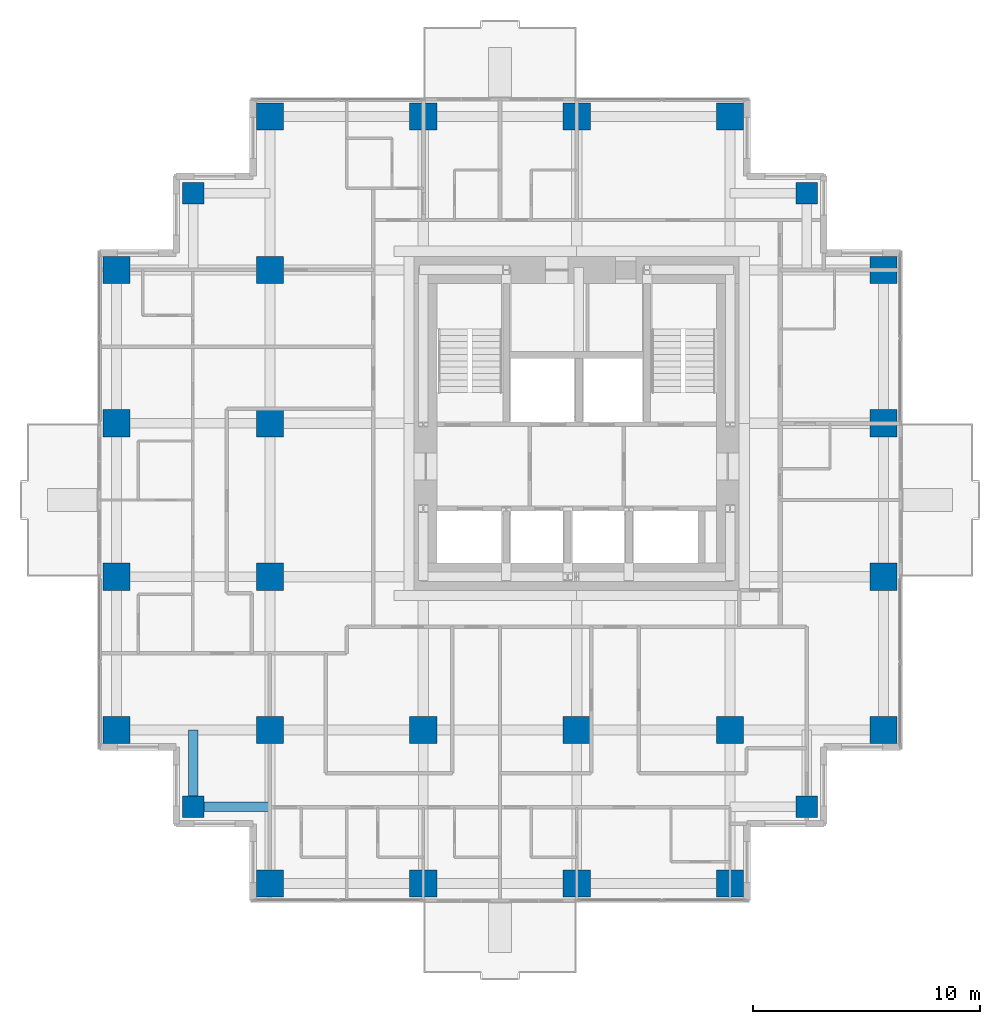
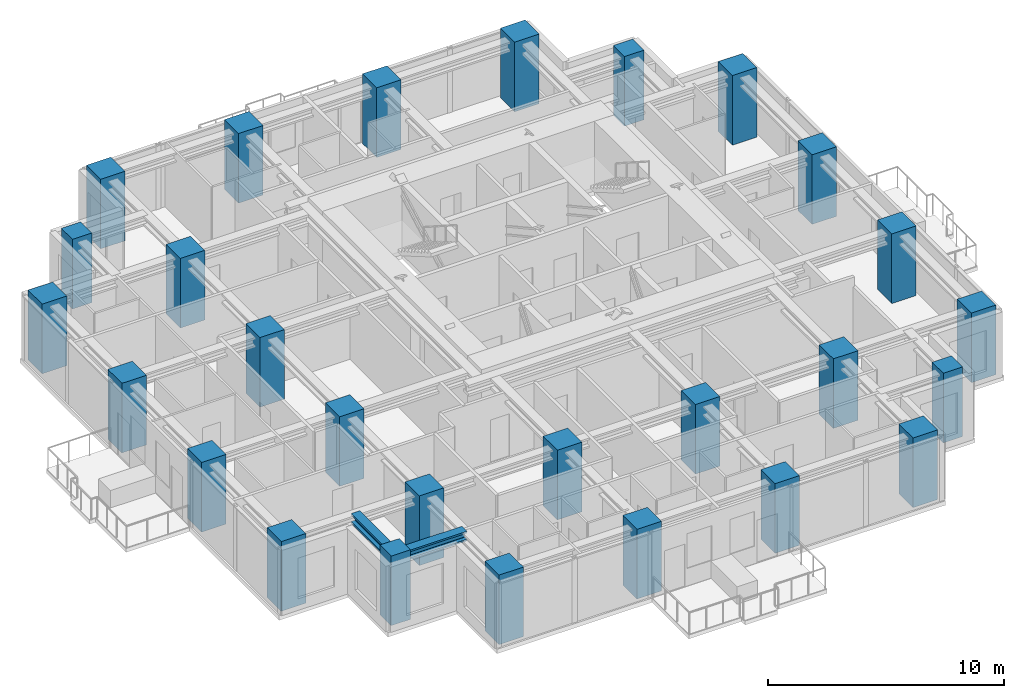
# One storey, part 1 of 10: 27 columns, 2 beams.
"""IFC4 building model written with IfcOpenShell, lengths in metres."""

from ifc_helpers import new_model, si_unit, direction, frame, origin, origin_2d, place, context, subcontext, project, spatial, rectangle, i_section, extrude, material, material_profile, profile_set, type_object, element, save


model = new_model("IFC4")

# Units and contexts
model_context = context("Model", 3, precision=1e-05, world=origin(), true_north=direction((0.0, 1.0)))
body_context = subcontext(model_context, "Body", "Model", "MODEL_VIEW")
ifc_project = project(units=[si_unit("LENGTHUNIT", "METRE"), si_unit("AREAUNIT", "SQUARE_METRE"), si_unit("VOLUMEUNIT", "CUBIC_METRE"), si_unit("PLANEANGLEUNIT", "RADIAN"), si_unit("MASSUNIT", "GRAM", prefix="KILO")], contexts=[model_context])

# Site, building, storey
site_placement = place(None, origin())
site = spatial("IfcSite", under=ifc_project, at=site_placement, CompositionType="ELEMENT")
building_placement = place(site_placement, origin())
building = spatial("IfcBuilding", under=site, at=building_placement, Name="Nyansa Garden Tower", CompositionType="ELEMENT")
storey_placement = place(building_placement, frame((0.0, 0.0, 178.199951171875)))
storey = spatial("IfcBuildingStorey", under=building, at=storey_placement, Name="L48", CompositionType="ELEMENT", Elevation=178.199951171875)

# Columns
ifc_material_1 = material(Name="Concrete C70/85", Category="concrete")
ifc_material_profile_1 = material_profile(ifc_material_1, rectangle(XDim=1.199951171875, YDim=1.199951171875, at=origin_2d()), Name="RC 1200x1200")
ifc_profile_set_1 = profile_set([ifc_material_profile_1], Name="Concrete C70/85")
column_type_1 = type_object("IfcColumnType", Name="Column C120 RC 1200x1200", PredefinedType="COLUMN", material=ifc_profile_set_1)
for number, where, z_axis, x_axis, name in (
    (1, (0.0, 6.75, 0.0), (0.0, 0.0, 1.0), (1.0, 0.0, 0.0), "Column 2/E L48"),
    (2, (0.0, 13.5, 0.0), (0.0, 0.0, 1.0), (1.0, 0.0, 0.0), "Column 2/F L48"),
    (3, (0.0, 20.25, 0.0), (0.0, 0.0, 1.0), (1.0, 0.0, 0.0), "Column 2/G L48"),
    (4, (0.0, 27.0, 0.0), (0.0, 0.0, 1.0), (1.0, 0.0, 0.0), "Column 2/H L48"),
    (5, (6.75, 0.0, 0.0), (0.0, 0.0, 1.0), (1.0, 0.0, 0.0), "Column 3/D L48"),
    (6, (6.75, 6.75, 0.0), (0.0, 0.0, 1.0), (1.0, 0.0, 0.0), "Column 3/E L48"),
    (7, (6.75, 13.5, 0.0), (0.0, 0.0, 1.0), (1.0, 0.0, 0.0), "Column 3/F L48"),
    (8, (6.75, 20.25, 0.0), (0.0, 0.0, 1.0), (1.0, 0.0, 0.0), "Column 3/G L48"),
    (9, (6.75, 27.0, 0.0), (0.0, 0.0, 1.0), (1.0, 0.0, 0.0), "Column 3/H L48"),
    (10, (6.75, 33.75, 0.0), (0.0, 0.0, 1.0), (1.0, 0.0, 0.0), "Column 3/J L48"),
    (11, (13.5, 0.0, 0.0), (0.0, 0.0, 1.0), (1.0, 0.0, 0.0), "Column 4/D L48"),
    (12, (13.5, 6.75, 0.0), (0.0, 0.0, 1.0), (1.0, 0.0, 0.0), "Column 4/E L48"),
    (13, (13.5, 33.75, 0.0), (0.0, 0.0, 1.0), (1.0, 0.0, 0.0), "Column 4/J L48"),
    (14, (20.25, 0.0, 0.0), (0.0, 0.0, 1.0), (1.0, 0.0, 0.0), "Column 5/D L48"),
    (15, (20.25, 6.75, 0.0), (0.0, 0.0, 1.0), (1.0, 0.0, 0.0), "Column 5/E L48"),
    (16, (20.25, 33.75, 0.0), (0.0, 0.0, 1.0), (1.0, 0.0, 0.0), "Column 5/J L48"),
    (17, (27.0, 0.0, 0.0), (0.0, 0.0, 1.0), (1.0, 0.0, 0.0), "Column 6/D L48"),
    (18, (27.0, 6.75, 0.0), (0.0, 0.0, 1.0), (1.0, 0.0, 0.0), "Column 6/E L48"),
    (19, (27.0, 33.75, 0.0), (0.0, 0.0, 1.0), (1.0, 0.0, 0.0), "Column 6/J L48"),
    (20, (33.75, 6.75, 0.0), (0.0, 0.0, 1.0), (1.0, 0.0, 0.0), "Column 7/E L48"),
    (21, (33.75, 13.5, 0.0), (0.0, 0.0, 1.0), (1.0, 0.0, 0.0), "Column 7/F L48"),
    (22, (33.75, 20.25, 0.0), (0.0, 0.0, 1.0), (1.0, 0.0, 0.0), "Column 7/G L48"),
    (23, (33.75, 27.0, 0.0), (0.0, 0.0, 1.0), (1.0, 0.0, 0.0), "Column 7/H L48"),
):
    element("IfcColumn", number, at=place(storey_placement, frame(where, z_axis=z_axis, x_axis=x_axis)), inside=storey, type_object=column_type_1, Name=name, PredefinedType="COLUMN", context=body_context, shape_type="SweptSolid", body=[
        extrude(rectangle(XDim=1.199951171875, YDim=1.199951171875, at=origin_2d()), origin(), (0.0, 0.0, 1.0), 3.60009765625),
    ])
ifc_material_2 = material(Name="Concrete C70/85", Category="concrete")
ifc_material_profile_2 = material_profile(ifc_material_2, rectangle(XDim=0.949951171875, YDim=0.949951171875, at=origin_2d()), Name="RC 950x950")
ifc_profile_set_2 = profile_set([ifc_material_profile_2], Name="Concrete C70/85")
column_type_2 = type_object("IfcColumnType", Name="Column C95 RC 950x950", PredefinedType="COLUMN", material=ifc_profile_set_2)
for number, where, z_axis, x_axis, name in (
    (24, (3.375, 3.375, 0.0), (0.0, 0.0, 1.0), (1.0, 0.0, 0.0), "Column x3.375/y3.375 L48"),
    (25, (3.375, 30.375, 0.0), (0.0, 0.0, 1.0), (1.0, 0.0, 0.0), "Column x3.375/y30.375 L48"),
    (26, (30.375, 3.375, 0.0), (0.0, 0.0, 1.0), (1.0, 0.0, 0.0), "Column x30.375/y3.375 L48"),
    (27, (30.375, 30.375, 0.0), (0.0, 0.0, 1.0), (1.0, 0.0, 0.0), "Column x30.375/y30.375 L48"),
):
    element("IfcColumn", number, at=place(storey_placement, frame(where, z_axis=z_axis, x_axis=x_axis)), inside=storey, type_object=column_type_2, Name=name, PredefinedType="COLUMN", context=body_context, shape_type="SweptSolid", body=[
        extrude(rectangle(XDim=0.949951171875, YDim=0.949951171875, at=origin_2d()), origin(), (0.0, 0.0, 1.0), 3.60009765625),
    ])

# Beams
ifc_material_3 = material(Name="Steel S355", Category="steel")
ifc_material_profile_3 = material_profile(ifc_material_3, i_section(OverallWidth=0.431884765625, OverallDepth=0.498046875, WebThickness=0.0556640625, FlangeThickness=0.0888671875, FilletRadius=0.014892578125, at=origin_2d()), Name="HD 400x744")
ifc_profile_set_3 = profile_set([ifc_material_profile_3], Name="Steel S355")
beam_type = type_object("IfcBeamType", Name="Steel beam SSB1-744 HD 400x744", PredefinedType="BEAM", material=ifc_profile_set_3)
for number, where, z_axis, x_axis, name in (
    (28, (3.375, 3.375, 3.1259765625), (0.0, 1.0, 0.0), (-1.0, 0.0, 0.0), "Steel step beam 3.375/3.375 L49"),
    (29, (3.375, 3.375, 3.1259765625), (1.0, 0.0, 0.0), (0.0, 1.0, 0.0), "Steel step beam 3.375/3.375 L49"),
):
    element("IfcBeam", number, at=place(storey_placement, frame(where, z_axis=z_axis, x_axis=x_axis)), inside=storey, type_object=beam_type, Name=name, PredefinedType="BEAM", context=body_context, shape_type="SweptSolid", body=[
        extrude(i_section(OverallWidth=0.431884765625, OverallDepth=0.498046875, WebThickness=0.0556640625, FlangeThickness=0.0888671875, FilletRadius=0.014892578125, at=origin_2d()), origin(), (0.0, 0.0, 1.0), 3.375),
    ])

save(model, "model.ifc")
